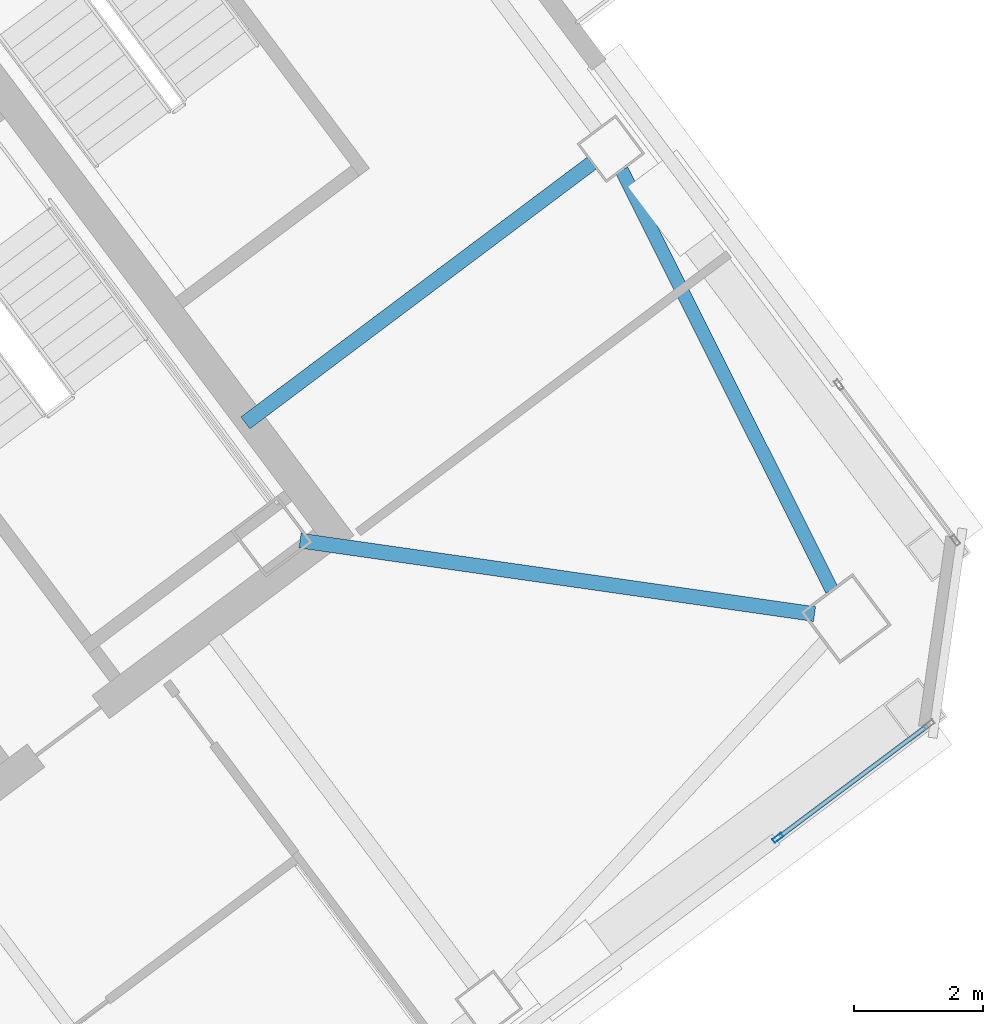
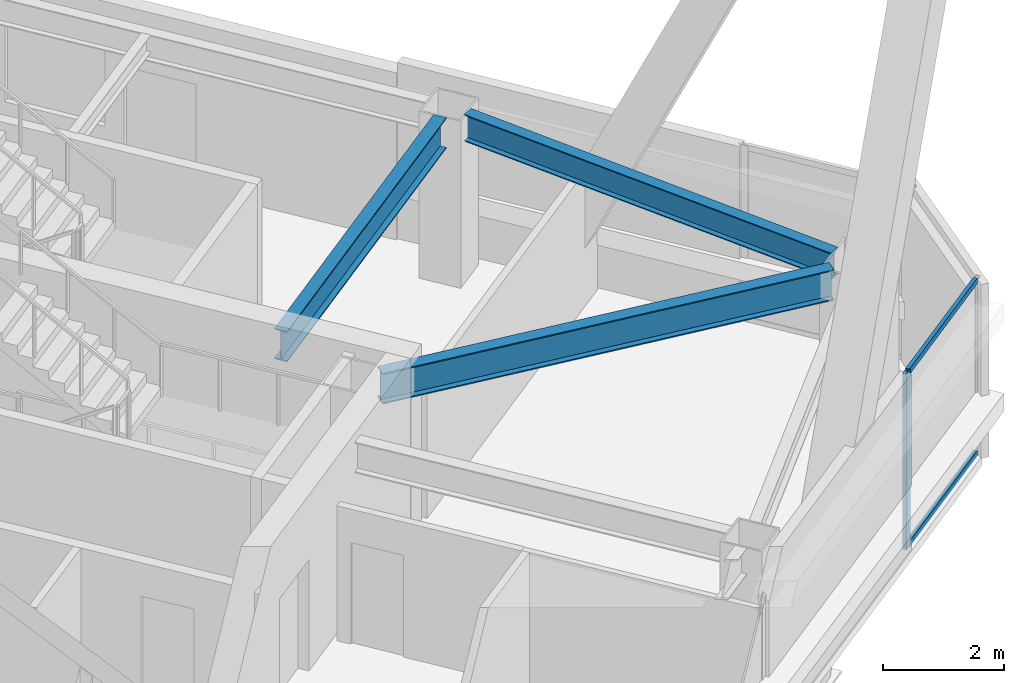
# One storey, part 37 of 56: 3 beams, 3 members, 1 element without a shape of its own.
"""IFC4 building model written with IfcOpenShell, lengths in metres."""

import ifcopenshell
import ifcopenshell.guid

model = None  # the IFC model being written
_history = None  # IfcOwnerHistory: only IFC2X3 demands one
_inside = {}  # id of a spatial element -> (the spatial element, [elements in it])
_under = {}  # id of a project, library or spatial element -> (it, [spatial elements below it])
_declared = {}  # id of a project -> (the project, [libraries it declares])
_typed = {}  # id of a type object -> (the type object, [elements of that type])
_made_of = {}  # id of a material, layer set ... -> (it, [elements and type objects made of it])


def new_model(schema):
    """Start an empty IFC model of exactly this schema.

    Asked for "IFC4X3", IfcOpenShell would pick the latest addendum, in which some entities
    have other attributes; the version numbers below select the first issue.
    IFC2X3 requires an IfcOwnerHistory on every rooted entity: one is made here for all.
    """
    global model, _history
    if schema == "IFC4X3":
        model = ifcopenshell.file(schema_version=(4, 3, 0, 0))
    else:
        model = ifcopenshell.file(schema=schema)
    _inside.clear()
    _under.clear()
    _declared.clear()
    _typed.clear()
    _made_of.clear()
    _history = None
    if model.schema == "IFC2X3":
        org = make("IfcOrganization", Name="unknown")
        user = make(
            "IfcPersonAndOrganization",
            ThePerson=make("IfcPerson", FamilyName="unknown"),
            TheOrganization=org,
        )
        app = make(
            "IfcApplication",
            ApplicationDeveloper=org,
            Version="unknown",
            ApplicationFullName="unknown",
            ApplicationIdentifier="unknown",
        )
        _history = make(
            "IfcOwnerHistory",
            OwningUser=user,
            OwningApplication=app,
            ChangeAction="ADDED",
            CreationDate=0,
        )
    return model


def make(cls, **values):
    """One entity of the class cls with the attributes given. An attribute that is None is left unset."""
    return model.create_entity(
        cls, **{name: value for name, value in values.items() if value is not None}
    )


def rooted(cls, **values):
    """An entity with a GlobalId (a new one), such as an element, a storey or a relation."""
    return make(cls, GlobalId=ifcopenshell.guid.new(), OwnerHistory=_history, **values)


def si_unit(unit_type, name, prefix=None):
    """IfcSIUnit, for example si_unit("LENGTHUNIT", "METRE", prefix="MILLI")."""
    return make("IfcSIUnit", UnitType=unit_type, Prefix=prefix, Name=name)


def assignment(units):
    """IfcUnitAssignment: the units of a project."""
    return None if units is None else make("IfcUnitAssignment", Units=units)


def point(xyz):
    """IfcCartesianPoint."""
    return None if xyz is None else make("IfcCartesianPoint", Coordinates=xyz)


def direction(xyz):
    """IfcDirection."""
    return None if xyz is None else make("IfcDirection", DirectionRatios=xyz)


def frame(location, z_axis=None, x_axis=None):
    """IfcAxis2Placement3D, a coordinate frame: its origin and axes. An axis left out is left unset."""
    return make(
        "IfcAxis2Placement3D",
        Location=point(location),
        Axis=direction(z_axis),
        RefDirection=direction(x_axis),
    )


def frame_2d(location, x_axis=None):
    """IfcAxis2Placement2D, a coordinate frame in the plane: its origin and x axis."""
    return make(
        "IfcAxis2Placement2D", Location=point(location), RefDirection=direction(x_axis)
    )


def origin():
    """The frame at (0, 0, 0) with its axes left unset."""
    return frame((0.0, 0.0, 0.0))


def origin_2d():
    """The frame at (0, 0) in the plane with its x axis left unset."""
    return frame_2d((0.0, 0.0))


def place(relative_to, where):
    """IfcLocalPlacement: puts the frame where relative to a parent placement (None: the world)."""
    return make(
        "IfcLocalPlacement", PlacementRelTo=relative_to, RelativePlacement=where
    )


def context(
    kind, dimensions, precision=None, world=None, true_north=None, identifier=None
):
    """IfcGeometricRepresentationContext, for example the 3D "Model" context."""
    return make(
        "IfcGeometricRepresentationContext",
        ContextIdentifier=identifier,
        ContextType=kind,
        CoordinateSpaceDimension=dimensions,
        Precision=precision,
        WorldCoordinateSystem=world,
        TrueNorth=true_north,
    )


def subcontext(parent, identifier, kind, view, scale=None):
    """IfcGeometricRepresentationSubContext, for example "Body" below "Model"."""
    return make(
        "IfcGeometricRepresentationSubContext",
        ContextIdentifier=identifier,
        ContextType=kind,
        ParentContext=parent,
        TargetScale=scale,
        TargetView=view,
    )


def project(units=None, contexts=None):
    """IfcProject with its units and contexts."""
    return rooted(
        "IfcProject",
        Name="project",
        RepresentationContexts=contexts,
        UnitsInContext=assignment(units),
    )


def spatial(cls, under=None, at=None, **own):
    """A site, building, storey or space (cls), placed at a placement, below another one or the project."""
    s = rooted(cls, ObjectPlacement=at, **own)
    if under is not None:
        _under.setdefault(under.id(), (under, []))[1].append(s)
    return s


def profile(cls, at=None, kind="AREA", **sizes):
    """A parametric profile (cls). Its sizes go by their IFC names, for example OverallWidth=200.0."""
    return make(cls, ProfileType=kind, Position=at, **sizes)


def hollow_rectangle(**sizes):
    """IfcRectangleHollowProfileDef."""
    return profile("IfcRectangleHollowProfileDef", **sizes)


def i_section(**sizes):
    """IfcIShapeProfileDef."""
    return profile("IfcIShapeProfileDef", **sizes)


def extrude(swept, where, along, depth):
    """IfcExtrudedAreaSolid: the profile swept, set in the frame where, extruded along a direction by depth."""
    return make(
        "IfcExtrudedAreaSolid",
        SweptArea=swept,
        Position=where,
        ExtrudedDirection=direction(along),
        Depth=depth,
    )


def shape(context_of_items, identifier, shape_type, items):
    """IfcShapeRepresentation: the items that make up one representation, for example the "Body"."""
    return make(
        "IfcShapeRepresentation",
        ContextOfItems=context_of_items,
        RepresentationIdentifier=identifier,
        RepresentationType=shape_type,
        Items=items,
    )


def material(Name=None, Category=None):
    """IfcMaterial."""
    return make("IfcMaterial", Name=Name, Category=Category)


def material_profile(
    of_material, cross_section, Name=None, Category=None, Priority=None
):
    """IfcMaterialProfile: a cross section and its material."""
    return make(
        "IfcMaterialProfile",
        Name=Name,
        Material=of_material,
        Profile=cross_section,
        Priority=Priority,
        Category=Category,
    )


def profile_set(profiles, Name=None, composite=None):
    """IfcMaterialProfileSet."""
    return make(
        "IfcMaterialProfileSet",
        Name=Name,
        MaterialProfiles=profiles,
        CompositeProfile=composite,
    )


def made_of(thing, what):
    """Note that an element or type object is made of a material, layer set ...; save() writes the relation."""
    if what is not None:
        _made_of.setdefault(what.id(), (what, []))[1].append(thing)
    return thing


def type_object(cls, material=None, **own):
    """A type object (cls), such as IfcWallType, which elements share."""
    return made_of(rooted(cls, **own), material)


def element(
    cls,
    number,
    at=None,
    inside=None,
    cuts=None,
    type_object=None,
    material=None,
    context=None,
    identifier="Body",
    shape_type=None,
    held_by="IfcProductDefinitionShape",
    body=None,
    shapes=None,
    **own,
):
    """One element of the class cls, such as IfcWall. Its Tag is "e" and its number.

    at: its placement. inside: the storey or other place that contains it. cuts: it is an
    opening in that element (IfcRelVoidsElement). A single representation is given by context,
    identifier, shape_type and body (its items); several are given by shapes. held_by: the class
    of the entity that holds the representations. save() writes the other relations.
    """
    e = rooted(cls, Tag="e%d" % number, ObjectPlacement=at, **own)
    if body is not None:
        shapes = [shape(context, identifier, shape_type, body)]
    if shapes is not None:
        e.Representation = make(held_by, Representations=shapes)
    if inside is not None:
        _inside.setdefault(inside.id(), (inside, []))[1].append(e)
    if cuts is not None:
        rooted(
            "IfcRelVoidsElement", RelatingBuildingElement=cuts, RelatedOpeningElement=e
        )
    if type_object is not None:
        _typed.setdefault(type_object.id(), (type_object, []))[1].append(e)
    return made_of(e, material)


def aggregate(whole, parts):
    """IfcRelAggregates: a whole, such as a stair, and the parts it consists of."""
    return rooted("IfcRelAggregates", RelatingObject=whole, RelatedObjects=parts)


def save(model, path):
    """Write the relations noted so far, then the file.

    IfcRelAggregates (storeys below a building ...), IfcRelContainedInSpatialStructure (elements
    in a storey), IfcRelDefinesByType, IfcRelAssociatesMaterial and IfcRelDeclares: one each for
    every whole, place, type object, material and project.
    """
    for whole, parts in _under.values():
        aggregate(whole, parts)
    for where, things in _inside.values():
        rooted(
            "IfcRelContainedInSpatialStructure",
            RelatedElements=things,
            RelatingStructure=where,
        )
    for kind, things in _typed.values():
        rooted("IfcRelDefinesByType", RelatedObjects=things, RelatingType=kind)
    for what, things in _made_of.values():
        rooted("IfcRelAssociatesMaterial", RelatedObjects=things, RelatingMaterial=what)
    for by, libraries in _declared.values():
        rooted("IfcRelDeclares", RelatingContext=by, RelatedDefinitions=libraries)
    model.write(path)


model = new_model("IFC4")

# Units and contexts
model_context = context("Model", 3, precision=1e-05, world=origin(), true_north=direction((0.0, 1.0)))
body_context = subcontext(model_context, "Body", "Model", "MODEL_VIEW")
ifc_project = project(units=[si_unit("LENGTHUNIT", "METRE"), si_unit("AREAUNIT", "SQUARE_METRE"), si_unit("VOLUMEUNIT", "CUBIC_METRE"), si_unit("PLANEANGLEUNIT", "RADIAN"), si_unit("MASSUNIT", "GRAM", prefix="KILO")], contexts=[model_context])

# Site, building, storey
site_placement = place(None, origin())
site = spatial("IfcSite", under=ifc_project, at=site_placement, CompositionType="ELEMENT")
building_placement = place(site_placement, origin())
building = spatial("IfcBuilding", under=site, at=building_placement, Name="Tashvorn Skyway Center", CompositionType="ELEMENT")
storey_placement = place(building_placement, frame((0.0, 0.0, 218.39990234375)))
storey = spatial("IfcBuildingStorey", under=building, at=storey_placement, Name="L59", CompositionType="ELEMENT", Elevation=218.39990234375)

# Beams
ifc_material_1 = material(Name="Steel ASTM A992 Grade 50", Category="steel")
ifc_material_profile_1 = material_profile(ifc_material_1, i_section(OverallWidth=0.22998046875, OverallDepth=0.616943359375, WebThickness=0.01318359375, FlangeThickness=0.022216796875, at=origin_2d()), Name="W24X94")
ifc_profile_set_1 = profile_set([ifc_material_profile_1], Name="Steel ASTM A992 Grade 50")
beam_type_1 = type_object("IfcBeamType", Name="BM-BEAM-W24X94", PredefinedType="BEAM", material=ifc_profile_set_1)
beam_1_placement = place(storey_placement, frame((132.27001953125, 29.389892578125, 3.0615234375), z_axis=(-0.989947064346, 0.141438360399, 0.0), x_axis=(-0.141438360399, -0.989947064346, 0.0)))
element("IfcBeam", 1, at=beam_1_placement, inside=storey, type_object=beam_type_1, Name="Tower 2 L59 Primary Floor Girder MC-SE", PredefinedType="BEAM", context=body_context, shape_type="SweptSolid", body=[
    extrude(i_section(OverallWidth=0.22998046875, OverallDepth=0.616943359375, WebThickness=0.01318359375, FlangeThickness=0.022216796875, at=origin_2d()), origin(), (0.0, 0.0, 1.0), 8.040283203125),
])
beam_2_placement = place(storey_placement, frame((128.823974609375, 36.367919921875, 3.0615234375), z_axis=(-0.799991254452, -0.600011660554, 0.0), x_axis=(0.600011660554, -0.799991254452, 0.0)))
element("IfcBeam", 2, at=beam_2_placement, inside=storey, type_object=beam_type_1, Name="Tower 2 L59 Primary Floor Girder FC-E1", PredefinedType="BEAM", context=body_context, shape_type="SweptSolid", body=[
    extrude(i_section(OverallWidth=0.22998046875, OverallDepth=0.616943359375, WebThickness=0.01318359375, FlangeThickness=0.022216796875, at=origin_2d()), origin(), (0.0, 0.0, 1.0), 6.699951171875),
])
ifc_material_profile_2 = material_profile(ifc_material_1, i_section(OverallWidth=0.2109375, OverallDepth=0.5390625, WebThickness=0.01171875, FlangeThickness=0.018798828125, at=origin_2d()), Name="W21X73")
ifc_profile_set_2 = profile_set([ifc_material_profile_2], Name="Steel ASTM A992 Grade 50")
beam_type_2 = type_object("IfcBeamType", Name="BM-SPANDREL-W21X73", PredefinedType="SPANDREL", material=ifc_profile_set_2)
beam_3_placement = place(storey_placement, frame((132.538330078125, 29.7626953125, 3.1005859375), z_axis=(-0.447710870872, 0.894178380472, 0.0), x_axis=(-0.894178380472, -0.447710870872, 0.0)))
element("IfcBeam", 3, at=beam_3_placement, inside=storey, type_object=beam_type_2, Name="Tower 2 L59 Spandrel Beam 04", PredefinedType="SPANDREL", context=body_context, shape_type="SweptSolid", body=[
    extrude(i_section(OverallWidth=0.2109375, OverallDepth=0.5390625, WebThickness=0.01171875, FlangeThickness=0.018798828125, at=origin_2d()), origin(), (0.0, 0.0, 1.0), 7.26513671875),
])

# Curtain wall, members
ifc_material_2 = material(Name="Thermally broken bronze-anodized aluminium 6063-T6", Category="aluminium")
curtain_wall_type = type_object("IfcCurtainWallType", Name="CW-CW-Z5", PredefinedType="NOTDEFINED", material=ifc_material_2)
curtain_wall_placement = place(storey_placement, origin())
curtain_wall = element("IfcCurtainWall", 4, at=curtain_wall_placement, inside=storey, type_object=curtain_wall_type, Name="Tower 2 L59 South Unitised Curtain Wall Glazing Group 1", PredefinedType="NOTDEFINED")
ifc_material_profile_3 = material_profile(ifc_material_2, hollow_rectangle(XDim=0.070068359375, YDim=0.1650390625, WallThickness=0.00390625, at=origin_2d()), Name="ALU-MULL-70x165")
ifc_profile_set_3 = profile_set([ifc_material_profile_3], Name="Thermally broken bronze-anodized aluminium 6063-T6")
member_type_1 = type_object("IfcMemberType", Name="CWM-CW-Z5", PredefinedType="MULLION", material=ifc_profile_set_3)
member_1_placement = place(storey_placement, frame((131.70361328125, 25.927734375, 0.0), z_axis=(0.0, 0.0, 1.0), x_axis=(0.600000000002, -0.799999999998, 0.0)))
member_1 = element("IfcMember", 5, at=member_1_placement, type_object=member_type_1, Name="CW-Z5 mullion 2", PredefinedType="MULLION", context=body_context, shape_type="SweptSolid", body=[
    extrude(hollow_rectangle(XDim=0.070068359375, YDim=0.1650390625, WallThickness=0.00390625, at=origin_2d()), origin(), (0.0, 0.0, 1.0), 3.550048828125),
])
ifc_material_profile_4 = material_profile(ifc_material_2, hollow_rectangle(XDim=0.070068359375, YDim=0.114990234375, WallThickness=0.00390625, at=origin_2d()), Name="ALU-TRAN-70x115")
ifc_profile_set_4 = profile_set([ifc_material_profile_4], Name="Thermally broken bronze-anodized aluminium 6063-T6")
member_type_2 = type_object("IfcMemberType", Name="CWT-CW-Z5", PredefinedType="USERDEFINED", material=ifc_profile_set_4)
member_2_placement = place(storey_placement, frame((134.01611328125, 27.662109375, 0.03515625), z_axis=(-0.799989740316, -0.600013679335, 0.0), x_axis=(0.600013679335, -0.799989740316, 0.0)))
member_2 = element("IfcMember", 6, at=member_2_placement, type_object=member_type_2, Name="CW-Z5 transom 1.1", ObjectType="TRANSOM", PredefinedType="USERDEFINED", context=body_context, shape_type="SweptSolid", body=[
    extrude(hollow_rectangle(XDim=0.070068359375, YDim=0.114990234375, WallThickness=0.00390625, at=origin_2d()), origin(), (0.0, 0.0, 1.0), 2.85546875),
])
member_3_placement = place(storey_placement, frame((134.01611328125, 27.662109375, 3.51513671875), z_axis=(-0.799989740316, -0.600013679335, 0.0), x_axis=(0.600013679335, -0.799989740316, 0.0)))
member_3 = element("IfcMember", 7, at=member_3_placement, type_object=member_type_2, Name="CW-Z5 transom 1.2", ObjectType="TRANSOM", PredefinedType="USERDEFINED", context=body_context, shape_type="SweptSolid", body=[
    extrude(hollow_rectangle(XDim=0.070068359375, YDim=0.114990234375, WallThickness=0.00390625, at=origin_2d()), origin(), (0.0, 0.0, 1.0), 2.85546875),
])
aggregate(curtain_wall, [member_1, member_2, member_3])

save(model, "model.ifc")
